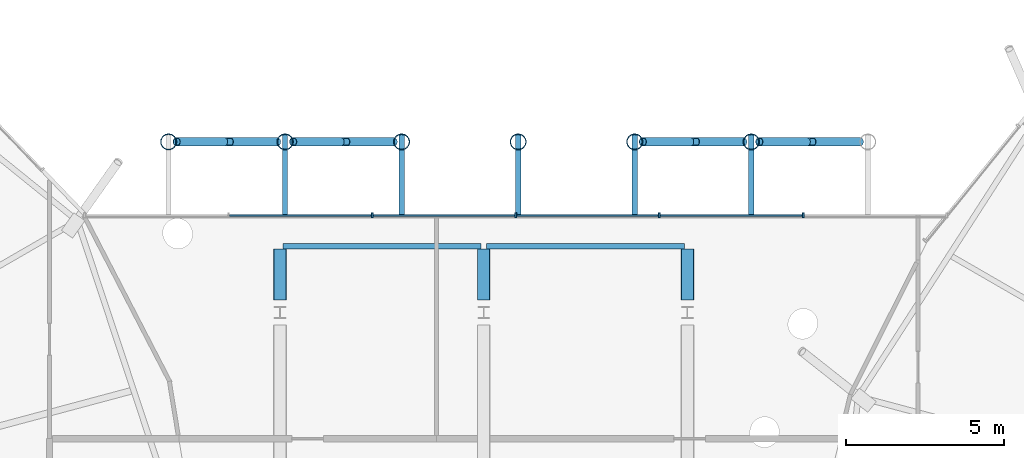
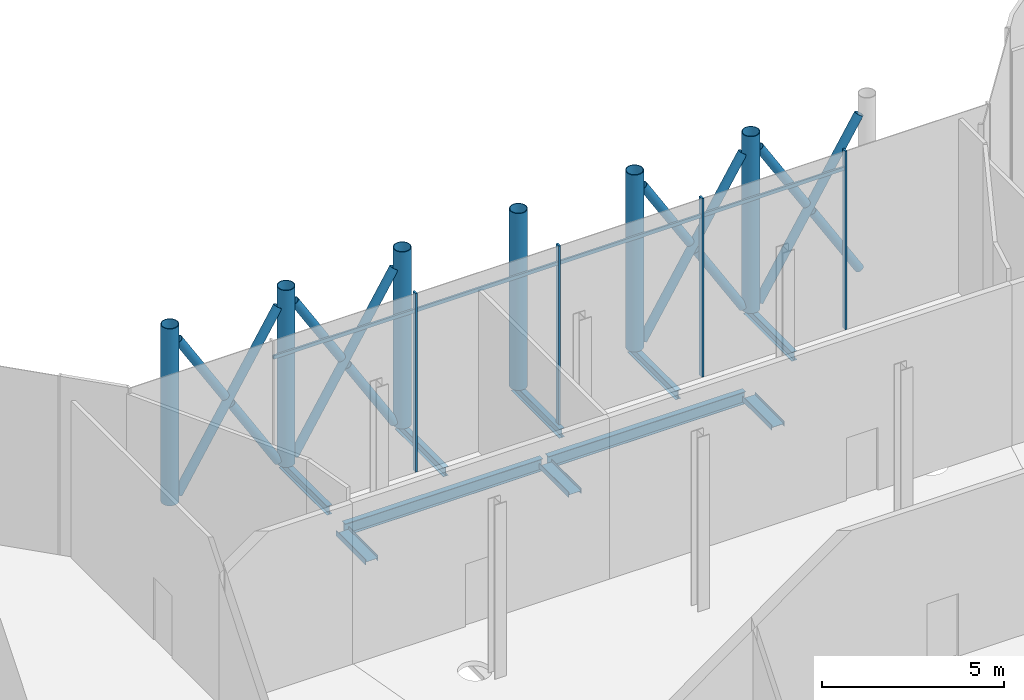
# One storey, part 9 of 38: 26 members, 10 beams, 1 element without a shape of its own.
"""IFC4 building model written with IfcOpenShell, lengths in metres."""

from ifc_helpers import new_model, si_unit, direction, frame, origin, origin_2d, place, context, subcontext, project, spatial, rectangle, hollow_circle, i_section, extrude, material, material_profile, profile_set, type_object, element, aggregate, save


model = new_model("IFC4")

# Units and contexts
model_context = context("Model", 3, precision=1e-05, world=origin(), true_north=direction((0.0, 1.0)))
body_context = subcontext(model_context, "Body", "Model", "MODEL_VIEW")
ifc_project = project(units=[si_unit("LENGTHUNIT", "METRE"), si_unit("AREAUNIT", "SQUARE_METRE"), si_unit("VOLUMEUNIT", "CUBIC_METRE"), si_unit("PLANEANGLEUNIT", "RADIAN"), si_unit("MASSUNIT", "GRAM", prefix="KILO")], contexts=[model_context])

# Site, building, storey
site_placement = place(None, origin())
site = spatial("IfcSite", under=ifc_project, at=site_placement, CompositionType="ELEMENT")
building_placement = place(site_placement, origin())
building = spatial("IfcBuilding", under=site, at=building_placement, Name="Rimbun Link Towers", CompositionType="ELEMENT")
storey_placement = place(building_placement, frame((0.0, 0.0, 133.199951171875)))
storey = spatial("IfcBuildingStorey", under=building, at=storey_placement, Name="L32", CompositionType="ELEMENT", Elevation=133.199951171875)

# Curtain wall, members
ifc_material_1 = material(Name="Aluminium 6063-T6 and low-iron glass", Category="aluminium")
curtain_wall_type = type_object("IfcCurtainWallType", Name="CW5 full height lobby wall", PredefinedType="NOTDEFINED", material=ifc_material_1)
curtain_wall_placement = place(storey_placement, origin())
curtain_wall = element("IfcCurtainWall", 1, at=curtain_wall_placement, inside=storey, type_object=curtain_wall_type, Name="CW5 L32 LB", PredefinedType="NOTDEFINED")
ifc_material_2 = material(Name="Aluminium 6063-T6", Category="aluminium")
ifc_material_profile_1 = material_profile(ifc_material_2, rectangle(XDim=0.14990234375, YDim=0.06005859375, at=origin_2d()), Name="MULLION 60X150")
ifc_profile_set_1 = profile_set([ifc_material_profile_1], Name="Aluminium 6063-T6")
member_type_1 = type_object("IfcMemberType", Name="CW5 mullion 60X150", PredefinedType="MULLION", material=ifc_profile_set_1)
member_1_placement = place(storey_placement, frame((-3.531005859375, 11.074951171875, 0.0), z_axis=(0.0, 0.0, 1.0), x_axis=(0.0, 1.0, 0.0)))
member_1 = element("IfcMember", 2, at=member_1_placement, type_object=member_type_1, Name="CW5 mullion", PredefinedType="MULLION", context=body_context, shape_type="SweptSolid", body=[
    extrude(rectangle(XDim=0.14990234375, YDim=0.06005859375, at=origin_2d()), origin(), (0.0, 0.0, 1.0), 6.0),
])
member_2_placement = place(storey_placement, frame((1.016845703125, 11.074951171875, 0.0), z_axis=(0.0, 0.0, 1.0), x_axis=(0.0, 1.0, 0.0)))
member_2 = element("IfcMember", 3, at=member_2_placement, type_object=member_type_1, Name="CW5 mullion", PredefinedType="MULLION", context=body_context, shape_type="SweptSolid", body=[
    extrude(rectangle(XDim=0.14990234375, YDim=0.06005859375, at=origin_2d()), origin(), (0.0, 0.0, 1.0), 6.0),
])
member_3_placement = place(storey_placement, frame((5.564697265625, 11.074951171875, 0.0), z_axis=(0.0, 0.0, 1.0), x_axis=(0.0, 1.0, 0.0)))
member_3 = element("IfcMember", 4, at=member_3_placement, type_object=member_type_1, Name="CW5 mullion", PredefinedType="MULLION", context=body_context, shape_type="SweptSolid", body=[
    extrude(rectangle(XDim=0.14990234375, YDim=0.06005859375, at=origin_2d()), origin(), (0.0, 0.0, 1.0), 6.0),
])
member_4_placement = place(storey_placement, frame((10.11279296875, 11.074951171875, 0.0), z_axis=(0.0, 0.0, 1.0), x_axis=(0.0, 1.0, 0.0)))
member_4 = element("IfcMember", 5, at=member_4_placement, type_object=member_type_1, Name="CW5 mullion", PredefinedType="MULLION", context=body_context, shape_type="SweptSolid", body=[
    extrude(rectangle(XDim=0.14990234375, YDim=0.06005859375, at=origin_2d()), origin(), (0.0, 0.0, 1.0), 6.0),
])
ifc_material_3 = material(Name="Aluminium 6063-T6", Category="aluminium")
ifc_material_profile_2 = material_profile(ifc_material_3, rectangle(XDim=0.06005859375, YDim=0.1201171875, at=origin_2d()), Name="TRANSOM 60X120")
ifc_profile_set_2 = profile_set([ifc_material_profile_2], Name="Aluminium 6063-T6")
member_type_2 = type_object("IfcMemberType", Name="CW5 transom 60X120", PredefinedType="USERDEFINED", material=ifc_profile_set_2)
member_5_placement = place(storey_placement, frame((-8.049072265625, 11.06201171875, 5.400146484375), z_axis=(1.0, 0.0, 0.0), x_axis=(0.0, 1.0, 0.0)))
member_5 = element("IfcMember", 6, at=member_5_placement, type_object=member_type_2, Name="CW5 transom", ObjectType="TRANSOM", PredefinedType="USERDEFINED", context=body_context, shape_type="SweptSolid", body=[
    extrude(rectangle(XDim=0.06005859375, YDim=0.1201171875, at=origin_2d()), origin(), (0.0, 0.0, 1.0), 4.488037109375),
])
member_6_placement = place(storey_placement, frame((-3.501220703125, 11.06201171875, 5.400146484375), z_axis=(1.0, 0.0, 0.0), x_axis=(0.0, 1.0, 0.0)))
member_6 = element("IfcMember", 7, at=member_6_placement, type_object=member_type_2, Name="CW5 transom", ObjectType="TRANSOM", PredefinedType="USERDEFINED", context=body_context, shape_type="SweptSolid", body=[
    extrude(rectangle(XDim=0.06005859375, YDim=0.1201171875, at=origin_2d()), origin(), (0.0, 0.0, 1.0), 4.488037109375),
])
member_7_placement = place(storey_placement, frame((1.046875, 11.06201171875, 5.400146484375), z_axis=(1.0, 0.0, 0.0), x_axis=(0.0, 1.0, 0.0)))
member_7 = element("IfcMember", 8, at=member_7_placement, type_object=member_type_2, Name="CW5 transom", ObjectType="TRANSOM", PredefinedType="USERDEFINED", context=body_context, shape_type="SweptSolid", body=[
    extrude(rectangle(XDim=0.06005859375, YDim=0.1201171875, at=origin_2d()), origin(), (0.0, 0.0, 1.0), 4.488037109375),
])
member_8_placement = place(storey_placement, frame((5.5947265625, 11.06201171875, 5.400146484375), z_axis=(1.0, 0.0, 0.0), x_axis=(0.0, 1.0, 0.0)))
member_8 = element("IfcMember", 9, at=member_8_placement, type_object=member_type_2, Name="CW5 transom", ObjectType="TRANSOM", PredefinedType="USERDEFINED", context=body_context, shape_type="SweptSolid", body=[
    extrude(rectangle(XDim=0.06005859375, YDim=0.1201171875, at=origin_2d()), origin(), (0.0, 0.0, 1.0), 4.488037109375),
])
aggregate(curtain_wall, [member_1, member_2, member_3, member_4, member_5, member_6, member_7, member_8])

# Beams
ifc_material_4 = material(Name="Steel S355J2", Category="steel")
ifc_material_profile_3 = material_profile(ifc_material_4, i_section(OverallWidth=0.1650390625, OverallDepth=0.303466796875, WebThickness=0.006103515625, FlangeThickness=0.01025390625, at=origin_2d()), Name="UB 305x165x40")
ifc_profile_set_3 = profile_set([ifc_material_profile_3], Name="Steel S355J2")
beam_type_1 = type_object("IfcBeamType", Name="Capsule bracket beam UB 305x165x40", PredefinedType="BEAM", material=ifc_profile_set_3)
for number, where, z_axis, x_axis, name in (
    (10, (-6.2880859375, 11.0, -0.311767578125), (0.0, 1.0, 0.0), (-1.0, 0.0, 0.0), "Link megaframe outrigger N1"),
    (11, (-2.59814453125, 11.0, -0.311767578125), (0.0, 1.0, 0.0), (-1.0, 0.0, 0.0), "Link megaframe outrigger N2"),
    (12, (1.091796875, 11.0, -0.311767578125), (0.0, 1.0, 0.0), (-1.0, 0.0, 0.0), "Link megaframe outrigger N3"),
    (13, (4.78173828125, 11.0, -0.311767578125), (0.0, 1.0, 0.0), (-1.0, 0.0, 0.0), "Link megaframe outrigger N4"),
    (14, (8.4716796875, 11.0, -0.311767578125), (0.0, 1.0, 0.0), (-1.0, 0.0, 0.0), "Link megaframe outrigger N5"),
):
    element("IfcBeam", number, at=place(storey_placement, frame(where, z_axis=z_axis, x_axis=x_axis)), inside=storey, type_object=beam_type_1, Name=name, PredefinedType="BEAM", context=body_context, shape_type="SweptSolid", body=[
        extrude(i_section(OverallWidth=0.1650390625, OverallDepth=0.303466796875, WebThickness=0.006103515625, FlangeThickness=0.01025390625, at=origin_2d()), origin(), (0.0, 0.0, 1.0), 2.654052734375),
    ])
ifc_material_5 = material(Name="Steel S355J2", Category="steel")
ifc_material_profile_4 = material_profile(ifc_material_5, i_section(OverallWidth=0.177978515625, OverallDepth=0.406494140625, WebThickness=0.0078125, FlangeThickness=0.0126953125, at=origin_2d()), Name="UKB 406x178x60")
ifc_profile_set_4 = profile_set([ifc_material_profile_4], Name="Steel S355J2")
beam_type_2 = type_object("IfcBeamType", Name="Link floor beam UKB 406x178x60", PredefinedType="BEAM", material=ifc_profile_set_4)
for number, where, z_axis, x_axis, name in (
    (15, (-6.449951171875, 8.39990234375, -0.363037109375), (0.0, 1.0, 0.0), (0.0, 0.0, 1.0), "Link floor beam L32 03"),
    (16, (0.0, 8.39990234375, -0.363037109375), (0.0, 1.0, 0.0), (0.0, 0.0, 1.0), "Link floor beam L32 07"),
    (17, (6.449951171875, 8.39990234375, -0.363037109375), (0.0, 1.0, 0.0), (0.0, 0.0, 1.0), "Link floor beam L32 11"),
):
    element("IfcBeam", number, at=place(storey_placement, frame(where, z_axis=z_axis, x_axis=x_axis)), inside=storey, type_object=beam_type_2, Name=name, PredefinedType="BEAM", context=body_context, shape_type="SweptSolid", body=[
        extrude(i_section(OverallWidth=0.177978515625, OverallDepth=0.406494140625, WebThickness=0.0078125, FlangeThickness=0.0126953125, at=origin_2d()), origin(), (0.0, 0.0, 1.0), 1.611083984375),
    ])
for number, where, z_axis, x_axis, name in (
    (18, (-6.361083984375, 10.10009765625, -0.363037109375), (1.0, 0.0, 0.0), (0.0, 1.0, 0.0), "Link edge beam L32 14"),
    (19, (0.089111328125, 10.10009765625, -0.363037109375), (1.0, 0.0, 0.0), (0.0, 1.0, 0.0), "Link edge beam L32 15"),
):
    element("IfcBeam", number, at=place(storey_placement, frame(where, z_axis=z_axis, x_axis=x_axis)), inside=storey, type_object=beam_type_2, Name=name, PredefinedType="BEAM", context=body_context, shape_type="SweptSolid", body=[
        extrude(i_section(OverallWidth=0.177978515625, OverallDepth=0.406494140625, WebThickness=0.0078125, FlangeThickness=0.0126953125, at=origin_2d()), origin(), (0.0, 0.0, 1.0), 6.27197265625),
    ])

# Members
ifc_material_6 = material(Name="Steel S355J2H", Category="steel")
ifc_material_profile_5 = material_profile(ifc_material_6, hollow_circle(Radius=0.136474609375, WallThickness=0.012451171875, at=origin_2d()), Name="CHS 273x12.5")
ifc_profile_set_5 = profile_set([ifc_material_profile_5], Name="Steel S355J2H")
member_type_3 = type_object("IfcMemberType", Name="Link megaframe brace CHS 273x12.5", PredefinedType="BRACE", material=ifc_profile_set_5)
member_9_placement = place(storey_placement, frame((-9.72412109375, 13.39990234375, -0.010009765625), z_axis=(0.522883744955, 0.0, 0.852404005893), x_axis=(0.0, 1.0, 0.0)))
element("IfcMember", 20, at=member_9_placement, inside=storey, type_object=member_type_3, Name="Link megaframe brace N0-1 bay 1.1", PredefinedType="BRACE", context=body_context, shape_type="SweptSolid", body=[
    extrude(hollow_circle(Radius=0.136474609375, WallThickness=0.012451171875, at=origin_2d()), origin(), (0.0, 0.0, 1.0), 6.085693359375),
])
for number, where, z_axis, x_axis, name in (
    (21, (-6.5419921875, 13.39990234375, -0.010009765625), (-0.522871442567, 0.0, 0.852411552332), (0.0, -1.0, 0.0), "Link megaframe brace N0-1 bay 1.2a"),
    (22, (-8.224609375, 13.39990234375, 2.73291015625), (-0.522871442567, 0.0, 0.852411552332), (0.0, -1.0, 0.0), "Link megaframe brace N0-1 bay 1.2b"),
):
    element("IfcMember", number, at=place(storey_placement, frame(where, z_axis=z_axis, x_axis=x_axis)), inside=storey, type_object=member_type_3, Name=name, PredefinedType="BRACE", context=body_context, shape_type="SweptSolid", body=[
        extrude(hollow_circle(Radius=0.136474609375, WallThickness=0.012451171875, at=origin_2d()), origin(), (0.0, 0.0, 1.0), 2.867919921875),
    ])
member_10_placement = place(storey_placement, frame((-6.0341796875, 13.39990234375, -0.010009765625), z_axis=(0.522854595392, 0.0, 0.852421886203), x_axis=(0.0, 1.0, 0.0)))
element("IfcMember", 23, at=member_10_placement, inside=storey, type_object=member_type_3, Name="Link megaframe brace N1-2 bay 1.1", PredefinedType="BRACE", context=body_context, shape_type="SweptSolid", body=[
    extrude(hollow_circle(Radius=0.136474609375, WallThickness=0.012451171875, at=origin_2d()), origin(), (0.0, 0.0, 1.0), 6.085693359375),
])
member_11_placement = place(storey_placement, frame((-2.852294921875, 13.39990234375, -0.010009765625), z_axis=(-0.522809582161, 0.0, 0.852449494574), x_axis=(0.0, -1.0, 0.0)))
element("IfcMember", 24, at=member_11_placement, inside=storey, type_object=member_type_3, Name="Link megaframe brace N1-2 bay 1.2a", PredefinedType="BRACE", context=body_context, shape_type="SweptSolid", body=[
    extrude(hollow_circle(Radius=0.136474609375, WallThickness=0.012451171875, at=origin_2d()), origin(), (0.0, 0.0, 1.0), 2.86767578125),
])
member_12_placement = place(storey_placement, frame((-4.53466796875, 13.39990234375, 2.73291015625), z_axis=(-0.522871442567, 0.0, 0.852411552332), x_axis=(0.0, -1.0, 0.0)))
element("IfcMember", 25, at=member_12_placement, inside=storey, type_object=member_type_3, Name="Link megaframe brace N1-2 bay 1.2b", PredefinedType="BRACE", context=body_context, shape_type="SweptSolid", body=[
    extrude(hollow_circle(Radius=0.136474609375, WallThickness=0.012451171875, at=origin_2d()), origin(), (0.0, 0.0, 1.0), 2.867919921875),
])
member_13_placement = place(storey_placement, frame((5.03564453125, 13.39990234375, -0.010009765625), z_axis=(0.522854595392, 0.0, 0.852421886203), x_axis=(0.0, 1.0, 0.0)))
element("IfcMember", 26, at=member_13_placement, inside=storey, type_object=member_type_3, Name="Link megaframe brace N4-5 bay 1.1", PredefinedType="BRACE", context=body_context, shape_type="SweptSolid", body=[
    extrude(hollow_circle(Radius=0.136474609375, WallThickness=0.012451171875, at=origin_2d()), origin(), (0.0, 0.0, 1.0), 6.085693359375),
])
member_14_placement = place(storey_placement, frame((8.217529296875, 13.39990234375, -0.010009765625), z_axis=(-0.522809582161, 0.0, 0.852449494574), x_axis=(0.0, -1.0, 0.0)))
element("IfcMember", 27, at=member_14_placement, inside=storey, type_object=member_type_3, Name="Link megaframe brace N4-5 bay 1.2a", PredefinedType="BRACE", context=body_context, shape_type="SweptSolid", body=[
    extrude(hollow_circle(Radius=0.136474609375, WallThickness=0.012451171875, at=origin_2d()), origin(), (0.0, 0.0, 1.0), 2.86767578125),
])
member_15_placement = place(storey_placement, frame((6.53515625, 13.39990234375, 2.73291015625), z_axis=(-0.522871442567, 0.0, 0.852411552332), x_axis=(0.0, -1.0, 0.0)))
element("IfcMember", 28, at=member_15_placement, inside=storey, type_object=member_type_3, Name="Link megaframe brace N4-5 bay 1.2b", PredefinedType="BRACE", context=body_context, shape_type="SweptSolid", body=[
    extrude(hollow_circle(Radius=0.136474609375, WallThickness=0.012451171875, at=origin_2d()), origin(), (0.0, 0.0, 1.0), 2.867919921875),
])
member_16_placement = place(storey_placement, frame((8.7255859375, 13.39990234375, -0.010009765625), z_axis=(0.522854595392, 0.0, 0.852421886203), x_axis=(0.0, 1.0, 0.0)))
element("IfcMember", 29, at=member_16_placement, inside=storey, type_object=member_type_3, Name="Link megaframe brace N5-6 bay 1.1", PredefinedType="BRACE", context=body_context, shape_type="SweptSolid", body=[
    extrude(hollow_circle(Radius=0.136474609375, WallThickness=0.012451171875, at=origin_2d()), origin(), (0.0, 0.0, 1.0), 6.085693359375),
])
member_17_placement = place(storey_placement, frame((11.907470703125, 13.39990234375, -0.010009765625), z_axis=(-0.522809582161, 0.0, 0.852449494574), x_axis=(0.0, -1.0, 0.0)))
element("IfcMember", 30, at=member_17_placement, inside=storey, type_object=member_type_3, Name="Link megaframe brace N5-6 bay 1.2a", PredefinedType="BRACE", context=body_context, shape_type="SweptSolid", body=[
    extrude(hollow_circle(Radius=0.136474609375, WallThickness=0.012451171875, at=origin_2d()), origin(), (0.0, 0.0, 1.0), 2.86767578125),
])
member_18_placement = place(storey_placement, frame((10.22509765625, 13.39990234375, 2.73291015625), z_axis=(-0.522871442567, 0.0, 0.852411552332), x_axis=(0.0, -1.0, 0.0)))
element("IfcMember", 31, at=member_18_placement, inside=storey, type_object=member_type_3, Name="Link megaframe brace N5-6 bay 1.2b", PredefinedType="BRACE", context=body_context, shape_type="SweptSolid", body=[
    extrude(hollow_circle(Radius=0.136474609375, WallThickness=0.012451171875, at=origin_2d()), origin(), (0.0, 0.0, 1.0), 2.867919921875),
])
ifc_material_7 = material(Name="Steel S355J2H", Category="steel")
ifc_material_profile_6 = material_profile(ifc_material_7, hollow_circle(Radius=0.25390625, WallThickness=0.02001953125, at=origin_2d()), Name="CHS 508x20")
ifc_profile_set_6 = profile_set([ifc_material_profile_6], Name="Steel S355J2H")
member_type_4 = type_object("IfcMemberType", Name="Link megaframe post CHS 508x20", PredefinedType="POST", material=ifc_profile_set_6)
for number, where, z_axis, x_axis, name in (
    (32, (-9.97802734375, 13.39990234375, -0.159912109375), (0.0, 0.0, 1.0), (1.0, 0.0, 0.0), "Link megaframe post N0 bay 1"),
    (33, (-6.2880859375, 13.39990234375, -0.159912109375), (0.0, 0.0, 1.0), (1.0, 0.0, 0.0), "Link megaframe post N1 bay 1"),
    (34, (-2.59814453125, 13.39990234375, -0.159912109375), (0.0, 0.0, 1.0), (1.0, 0.0, 0.0), "Link megaframe post N2 bay 1"),
    (35, (1.091796875, 13.39990234375, -0.159912109375), (0.0, 0.0, 1.0), (1.0, 0.0, 0.0), "Link megaframe post N3 bay 1"),
    (36, (4.78173828125, 13.39990234375, -0.159912109375), (0.0, 0.0, 1.0), (1.0, 0.0, 0.0), "Link megaframe post N4 bay 1"),
    (37, (8.4716796875, 13.39990234375, -0.159912109375), (0.0, 0.0, 1.0), (1.0, 0.0, 0.0), "Link megaframe post N5 bay 1"),
):
    element("IfcMember", number, at=place(storey_placement, frame(where, z_axis=z_axis, x_axis=x_axis)), inside=storey, type_object=member_type_4, Name=name, PredefinedType="POST", context=body_context, shape_type="SweptSolid", body=[
        extrude(hollow_circle(Radius=0.25390625, WallThickness=0.02001953125, at=origin_2d()), origin(), (0.0, 0.0, 1.0), 5.93994140625),
    ])

save(model, "model.ifc")
